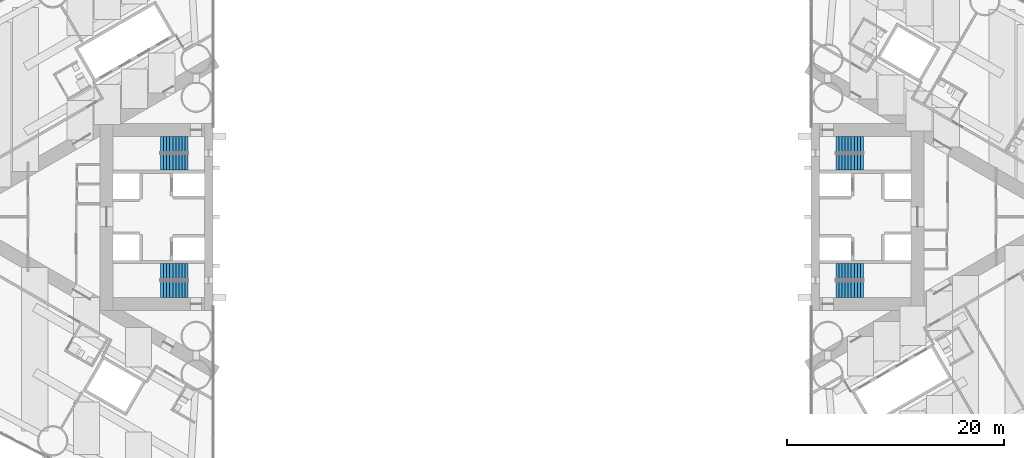
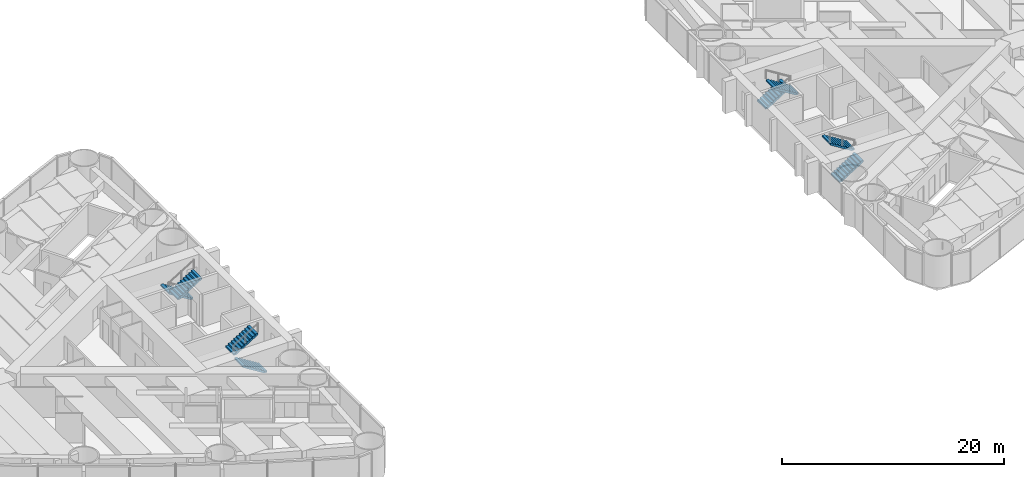
# One storey, part 17 of 19: 8 stair flights, 4 elements without a shape of their own.
"""IFC4 building model written with IfcOpenShell, lengths in metres."""

from ifc_helpers import new_model, si_unit, direction, frame, origin, place, context, subcontext, project, spatial, polyline, outline, extrude, material, type_object, element, aggregate, save


model = new_model("IFC4")

# Units and contexts
model_context = context("Model", 3, precision=1e-05, world=origin(), true_north=direction((0.0, 1.0)))
body_context = subcontext(model_context, "Body", "Model", "MODEL_VIEW")
ifc_project = project(units=[si_unit("LENGTHUNIT", "METRE"), si_unit("AREAUNIT", "SQUARE_METRE"), si_unit("VOLUMEUNIT", "CUBIC_METRE"), si_unit("PLANEANGLEUNIT", "RADIAN"), si_unit("MASSUNIT", "GRAM", prefix="KILO")], contexts=[model_context])

# Site, building, storey
site_placement = place(None, origin())
site = spatial("IfcSite", under=ifc_project, at=site_placement, CompositionType="ELEMENT")
building_placement = place(site_placement, origin())
building = spatial("IfcBuilding", under=site, at=building_placement, Name="Lancet Gate Hotel", CompositionType="ELEMENT")
storey_placement = place(building_placement, frame((0.0, 0.0, 74.0)))
storey = spatial("IfcBuildingStorey", under=building, at=storey_placement, Name="L19", CompositionType="ELEMENT", Elevation=74.0)

# Stair, stair flights
ifc_material_1 = material(Name="Exit stair 20 risers 1500")
stair_type = type_object("IfcStairType", Name="Exit stair 20 risers 1500", PredefinedType="HALF_TURN_STAIR", material=ifc_material_1)
stair_1_placement = place(storey_placement, origin())
stair_1 = element("IfcStair", 1, at=stair_1_placement, inside=storey, type_object=stair_type, Name="T1 stair 1 L19", PredefinedType="HALF_TURN_STAIR")
ifc_material_2 = material(Name="Stair flight 10 risers 175 rise 1500")
stair_flight_type = type_object("IfcStairFlightType", Name="Stair flight 10 risers 175 rise 1500", PredefinedType="STRAIGHT", material=ifc_material_2)
stair_flight_1_placement = place(storey_placement, frame((-29.800048828125, 6.64990234375, 0.0), z_axis=(0.0, 0.0, 1.0), x_axis=(-1.0, 0.0, 0.0)))
stair_flight_1 = element("IfcStairFlight", 2, at=stair_flight_1_placement, type_object=stair_flight_type, Name="ST1 flight 1", NumberOfRisers=10, NumberOfTreads=9, PredefinedType="STRAIGHT", RiserHeight=0.175, TreadLength=0.28, context=body_context, shape_type="SweptSolid", body=[
    extrude(outline(polyline([(0.0, 0.0), (0.0, 0.175048828125), (0.280029296875, 0.175048828125), (0.280029296875, 0.35009765625), (0.56005859375, 0.35009765625), (0.56005859375, 0.52490234375), (0.840087890625, 0.52490234375), (0.840087890625, 0.699951171875), (1.1201171875, 0.699951171875), (1.1201171875, 0.875), (1.39990234375, 0.875), (1.39990234375, 1.050048828125), (1.679931640625, 1.050048828125), (1.679931640625, 1.22509765625), (1.9599609375, 1.22509765625), (1.9599609375, 1.39990234375), (2.239990234375, 1.39990234375), (2.239990234375, 1.574951171875), (2.52001953125, 1.574951171875), (2.52001953125, 1.75), (2.52001953125, 1.398193359375), (0.28271484375, 0.0), (0.0, 0.0)])), frame((0.0, 0.75, 0.0), z_axis=(0.0, -1.0, 0.0), x_axis=(1.0, 0.0, 0.0)), (0.0, 0.0, 1.0), 1.5),
])
stair_flight_2_placement = place(storey_placement, frame((-32.320068359375, 5.050048828125, 1.75), z_axis=(0.0, 0.0, 1.0), x_axis=(1.0, 0.0, 0.0)))
stair_flight_2 = element("IfcStairFlight", 3, at=stair_flight_2_placement, type_object=stair_flight_type, Name="ST1 flight 2", NumberOfRisers=10, NumberOfTreads=9, PredefinedType="STRAIGHT", RiserHeight=0.175, TreadLength=0.28, context=body_context, shape_type="SweptSolid", body=[
    extrude(outline(polyline([(0.0, 0.0), (0.0, 0.175048828125), (0.280029296875, 0.175048828125), (0.280029296875, 0.35009765625), (0.56005859375, 0.35009765625), (0.56005859375, 0.52490234375), (0.840087890625, 0.52490234375), (0.840087890625, 0.699951171875), (1.1201171875, 0.699951171875), (1.1201171875, 0.875), (1.39990234375, 0.875), (1.39990234375, 1.050048828125), (1.679931640625, 1.050048828125), (1.679931640625, 1.22509765625), (1.9599609375, 1.22509765625), (1.9599609375, 1.39990234375), (2.239990234375, 1.39990234375), (2.239990234375, 1.574951171875), (2.52001953125, 1.574951171875), (2.52001953125, 1.75), (2.52001953125, 1.398193359375), (0.28271484375, 0.0), (0.0, 0.0)])), frame((0.0, 0.75, 0.0), z_axis=(0.0, -1.0, 0.0), x_axis=(1.0, 0.0, 0.0)), (0.0, 0.0, 1.0), 1.5),
])
aggregate(stair_1, [stair_flight_1, stair_flight_2])

stair_2_placement = place(storey_placement, origin())
stair_2 = element("IfcStair", 4, at=stair_2_placement, inside=storey, type_object=stair_type, Name="T1 stair 2 L19", PredefinedType="HALF_TURN_STAIR")
stair_flight_3_placement = place(storey_placement, frame((-29.800048828125, -6.64990234375, 0.0), z_axis=(0.0, 0.0, 1.0), x_axis=(-1.0, 0.0, 0.0)))
stair_flight_3 = element("IfcStairFlight", 5, at=stair_flight_3_placement, type_object=stair_flight_type, Name="ST2 flight 1", NumberOfRisers=10, NumberOfTreads=9, PredefinedType="STRAIGHT", RiserHeight=0.175, TreadLength=0.28, context=body_context, shape_type="SweptSolid", body=[
    extrude(outline(polyline([(0.0, 0.0), (0.0, 0.175048828125), (0.280029296875, 0.175048828125), (0.280029296875, 0.35009765625), (0.56005859375, 0.35009765625), (0.56005859375, 0.52490234375), (0.840087890625, 0.52490234375), (0.840087890625, 0.699951171875), (1.1201171875, 0.699951171875), (1.1201171875, 0.875), (1.39990234375, 0.875), (1.39990234375, 1.050048828125), (1.679931640625, 1.050048828125), (1.679931640625, 1.22509765625), (1.9599609375, 1.22509765625), (1.9599609375, 1.39990234375), (2.239990234375, 1.39990234375), (2.239990234375, 1.574951171875), (2.52001953125, 1.574951171875), (2.52001953125, 1.75), (2.52001953125, 1.398193359375), (0.28271484375, 0.0), (0.0, 0.0)])), frame((0.0, 0.75, 0.0), z_axis=(0.0, -1.0, 0.0), x_axis=(1.0, 0.0, 0.0)), (0.0, 0.0, 1.0), 1.5),
])
stair_flight_4_placement = place(storey_placement, frame((-32.320068359375, -5.050048828125, 1.75), z_axis=(0.0, 0.0, 1.0), x_axis=(1.0, 0.0, 0.0)))
stair_flight_4 = element("IfcStairFlight", 6, at=stair_flight_4_placement, type_object=stair_flight_type, Name="ST2 flight 2", NumberOfRisers=10, NumberOfTreads=9, PredefinedType="STRAIGHT", RiserHeight=0.175, TreadLength=0.28, context=body_context, shape_type="SweptSolid", body=[
    extrude(outline(polyline([(0.0, 0.0), (0.0, 0.175048828125), (0.280029296875, 0.175048828125), (0.280029296875, 0.35009765625), (0.56005859375, 0.35009765625), (0.56005859375, 0.52490234375), (0.840087890625, 0.52490234375), (0.840087890625, 0.699951171875), (1.1201171875, 0.699951171875), (1.1201171875, 0.875), (1.39990234375, 0.875), (1.39990234375, 1.050048828125), (1.679931640625, 1.050048828125), (1.679931640625, 1.22509765625), (1.9599609375, 1.22509765625), (1.9599609375, 1.39990234375), (2.239990234375, 1.39990234375), (2.239990234375, 1.574951171875), (2.52001953125, 1.574951171875), (2.52001953125, 1.75), (2.52001953125, 1.398193359375), (0.28271484375, 0.0), (0.0, 0.0)])), frame((0.0, 0.75, 0.0), z_axis=(0.0, -1.0, 0.0), x_axis=(1.0, 0.0, 0.0)), (0.0, 0.0, 1.0), 1.5),
])
aggregate(stair_2, [stair_flight_3, stair_flight_4])

stair_3_placement = place(storey_placement, origin())
stair_3 = element("IfcStair", 7, at=stair_3_placement, inside=storey, type_object=stair_type, Name="T2 stair 1 L19", PredefinedType="HALF_TURN_STAIR")
stair_flight_5_placement = place(storey_placement, frame((29.800048828125, -6.64990234375, 0.0), z_axis=(0.0, 0.0, 1.0), x_axis=(1.0, 0.0, 0.0)))
stair_flight_5 = element("IfcStairFlight", 8, at=stair_flight_5_placement, type_object=stair_flight_type, Name="ST3 flight 1", NumberOfRisers=10, NumberOfTreads=9, PredefinedType="STRAIGHT", RiserHeight=0.175, TreadLength=0.28, context=body_context, shape_type="SweptSolid", body=[
    extrude(outline(polyline([(0.0, 0.0), (0.0, 0.175048828125), (0.280029296875, 0.175048828125), (0.280029296875, 0.35009765625), (0.56005859375, 0.35009765625), (0.56005859375, 0.52490234375), (0.840087890625, 0.52490234375), (0.840087890625, 0.699951171875), (1.1201171875, 0.699951171875), (1.1201171875, 0.875), (1.39990234375, 0.875), (1.39990234375, 1.050048828125), (1.679931640625, 1.050048828125), (1.679931640625, 1.22509765625), (1.9599609375, 1.22509765625), (1.9599609375, 1.39990234375), (2.239990234375, 1.39990234375), (2.239990234375, 1.574951171875), (2.52001953125, 1.574951171875), (2.52001953125, 1.75), (2.52001953125, 1.398193359375), (0.28271484375, 0.0), (0.0, 0.0)])), frame((0.0, 0.75, 0.0), z_axis=(0.0, -1.0, 0.0), x_axis=(1.0, 0.0, 0.0)), (0.0, 0.0, 1.0), 1.5),
])
stair_flight_6_placement = place(storey_placement, frame((32.320068359375, -5.050048828125, 1.75), z_axis=(0.0, 0.0, 1.0), x_axis=(-1.0, 0.0, 0.0)))
stair_flight_6 = element("IfcStairFlight", 9, at=stair_flight_6_placement, type_object=stair_flight_type, Name="ST3 flight 2", NumberOfRisers=10, NumberOfTreads=9, PredefinedType="STRAIGHT", RiserHeight=0.175, TreadLength=0.28, context=body_context, shape_type="SweptSolid", body=[
    extrude(outline(polyline([(0.0, 0.0), (0.0, 0.175048828125), (0.280029296875, 0.175048828125), (0.280029296875, 0.35009765625), (0.56005859375, 0.35009765625), (0.56005859375, 0.52490234375), (0.840087890625, 0.52490234375), (0.840087890625, 0.699951171875), (1.1201171875, 0.699951171875), (1.1201171875, 0.875), (1.39990234375, 0.875), (1.39990234375, 1.050048828125), (1.679931640625, 1.050048828125), (1.679931640625, 1.22509765625), (1.9599609375, 1.22509765625), (1.9599609375, 1.39990234375), (2.239990234375, 1.39990234375), (2.239990234375, 1.574951171875), (2.52001953125, 1.574951171875), (2.52001953125, 1.75), (2.52001953125, 1.398193359375), (0.28271484375, 0.0), (0.0, 0.0)])), frame((0.0, 0.75, 0.0), z_axis=(0.0, -1.0, 0.0), x_axis=(1.0, 0.0, 0.0)), (0.0, 0.0, 1.0), 1.5),
])
aggregate(stair_3, [stair_flight_5, stair_flight_6])

stair_4_placement = place(storey_placement, origin())
stair_4 = element("IfcStair", 10, at=stair_4_placement, inside=storey, type_object=stair_type, Name="T2 stair 2 L19", PredefinedType="HALF_TURN_STAIR")
stair_flight_7_placement = place(storey_placement, frame((29.800048828125, 6.64990234375, 0.0), z_axis=(0.0, 0.0, 1.0), x_axis=(1.0, 0.0, 0.0)))
stair_flight_7 = element("IfcStairFlight", 11, at=stair_flight_7_placement, type_object=stair_flight_type, Name="ST4 flight 1", NumberOfRisers=10, NumberOfTreads=9, PredefinedType="STRAIGHT", RiserHeight=0.175, TreadLength=0.28, context=body_context, shape_type="SweptSolid", body=[
    extrude(outline(polyline([(0.0, 0.0), (0.0, 0.175048828125), (0.280029296875, 0.175048828125), (0.280029296875, 0.35009765625), (0.56005859375, 0.35009765625), (0.56005859375, 0.52490234375), (0.840087890625, 0.52490234375), (0.840087890625, 0.699951171875), (1.1201171875, 0.699951171875), (1.1201171875, 0.875), (1.39990234375, 0.875), (1.39990234375, 1.050048828125), (1.679931640625, 1.050048828125), (1.679931640625, 1.22509765625), (1.9599609375, 1.22509765625), (1.9599609375, 1.39990234375), (2.239990234375, 1.39990234375), (2.239990234375, 1.574951171875), (2.52001953125, 1.574951171875), (2.52001953125, 1.75), (2.52001953125, 1.398193359375), (0.28271484375, 0.0), (0.0, 0.0)])), frame((0.0, 0.75, 0.0), z_axis=(0.0, -1.0, 0.0), x_axis=(1.0, 0.0, 0.0)), (0.0, 0.0, 1.0), 1.5),
])
stair_flight_8_placement = place(storey_placement, frame((32.320068359375, 5.050048828125, 1.75), z_axis=(0.0, 0.0, 1.0), x_axis=(-1.0, 0.0, 0.0)))
stair_flight_8 = element("IfcStairFlight", 12, at=stair_flight_8_placement, type_object=stair_flight_type, Name="ST4 flight 2", NumberOfRisers=10, NumberOfTreads=9, PredefinedType="STRAIGHT", RiserHeight=0.175, TreadLength=0.28, context=body_context, shape_type="SweptSolid", body=[
    extrude(outline(polyline([(0.0, 0.0), (0.0, 0.175048828125), (0.280029296875, 0.175048828125), (0.280029296875, 0.35009765625), (0.56005859375, 0.35009765625), (0.56005859375, 0.52490234375), (0.840087890625, 0.52490234375), (0.840087890625, 0.699951171875), (1.1201171875, 0.699951171875), (1.1201171875, 0.875), (1.39990234375, 0.875), (1.39990234375, 1.050048828125), (1.679931640625, 1.050048828125), (1.679931640625, 1.22509765625), (1.9599609375, 1.22509765625), (1.9599609375, 1.39990234375), (2.239990234375, 1.39990234375), (2.239990234375, 1.574951171875), (2.52001953125, 1.574951171875), (2.52001953125, 1.75), (2.52001953125, 1.398193359375), (0.28271484375, 0.0), (0.0, 0.0)])), frame((0.0, 0.75, 0.0), z_axis=(0.0, -1.0, 0.0), x_axis=(1.0, 0.0, 0.0)), (0.0, 0.0, 1.0), 1.5),
])
aggregate(stair_4, [stair_flight_7, stair_flight_8])

save(model, "model.ifc")
